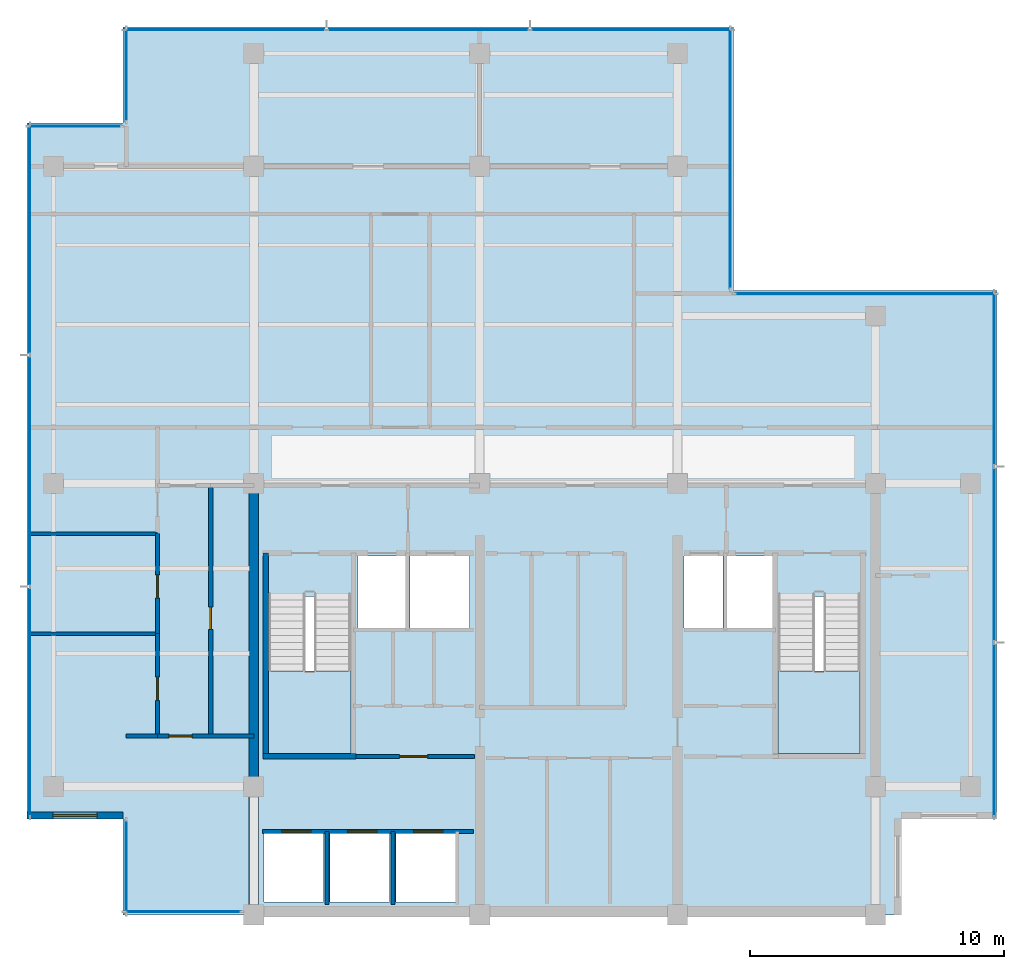
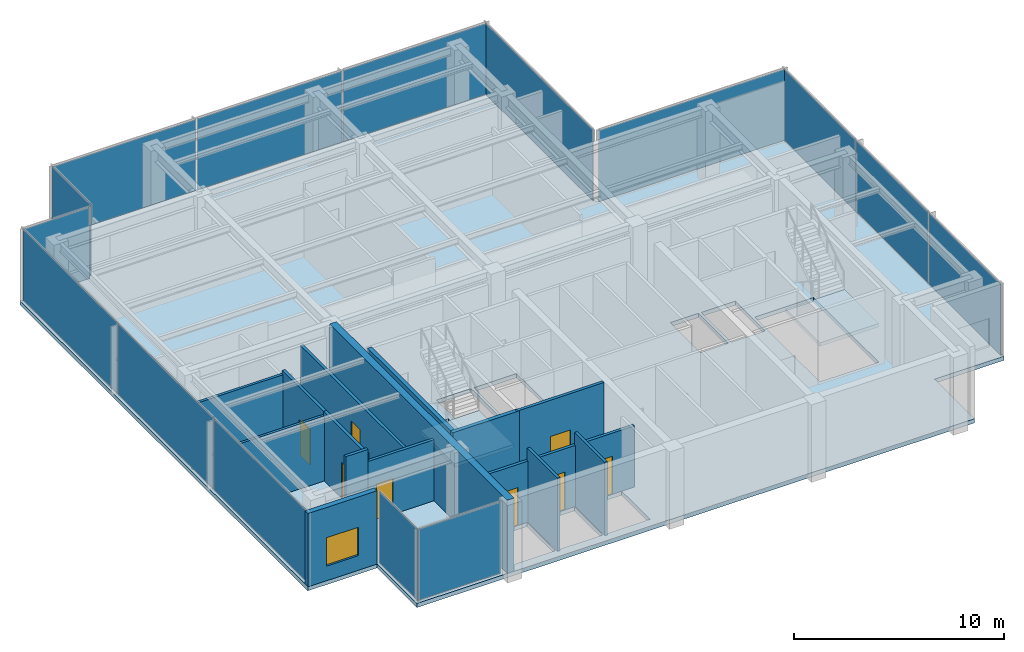
# One storey, part 5 of 11: 15 plates, 15 walls, 8 doors, 3 slabs, 1 window, 9 openings, 11 elements without a shape of their own.
"""IFC4 building model written with IfcOpenShell, lengths in metres."""

from ifc_helpers import new_model, si_unit, direction, frame, frame_2d, origin, origin_2d, place, context, subcontext, project, spatial, polyline, rectangle, outline, extrude, material, layer, layer_set, type_object, element, fill, aggregate, save


model = new_model("IFC4")

# Units and contexts
model_context = context("Model", 3, precision=1e-05, world=origin(), true_north=direction((0.0, 1.0)))
body_context = subcontext(model_context, "Body", "Model", "MODEL_VIEW")
ifc_project = project(units=[si_unit("LENGTHUNIT", "METRE"), si_unit("AREAUNIT", "SQUARE_METRE"), si_unit("VOLUMEUNIT", "CUBIC_METRE"), si_unit("PLANEANGLEUNIT", "RADIAN"), si_unit("MASSUNIT", "GRAM", prefix="KILO")], contexts=[model_context])

# Site, building, storey
site_placement = place(None, origin())
site = spatial("IfcSite", under=ifc_project, at=site_placement, CompositionType="ELEMENT")
building_placement = place(site_placement, origin())
building = spatial("IfcBuilding", under=site, at=building_placement, Name="Qalmaran Belvedere Hotel", CompositionType="ELEMENT")
storey_placement = place(building_placement, frame((0.0, 0.0, 280.89990234375)))
storey = spatial("IfcBuildingStorey", under=building, at=storey_placement, Name="L73", CompositionType="ELEMENT", Elevation=280.89990234375)

# Curtain wall, plate
ifc_material_1 = material(Name="Anodised Bronze Aluminium", Category="aluminium")
ifc_layer_1 = layer(ifc_material_1, 0.18505859375, Name="Anodised Bronze Aluminium")
ifc_layer_set_1 = layer_set([ifc_layer_1], Name="Anodised Bronze Aluminium")
curtain_wall_type = type_object("IfcCurtainWallType", Name="CW6-TOWER-SKY", PredefinedType="NOTDEFINED", material=ifc_layer_set_1)
curtain_wall_1_placement = place(storey_placement, origin())
curtain_wall_1 = element("IfcCurtainWall", 1, at=curtain_wall_1_placement, inside=storey, type_object=curtain_wall_type, Name="L73 Curtain Wall CW6", PredefinedType="NOTDEFINED")
ifc_material_2 = material(Name="Solar-Control Double Glazing", Category="glass")
ifc_layer_2 = layer(ifc_material_2, 0.028076171875, Name="Solar-Control Double Glazing")
ifc_layer_set_2 = layer_set([ifc_layer_2], Name="Solar-Control Double Glazing")
plate_type = type_object("IfcPlateType", Name="CWP-VISION-28", PredefinedType="CURTAIN_PANEL", material=ifc_layer_set_2)
plate_1_placement = place(storey_placement, frame((17.5048828125, 3.6201171875, 0.065185546875), z_axis=(0.0, 0.0, 1.0), x_axis=(1.0, 0.0, 0.0)))
plate_1 = element("IfcPlate", 2, at=plate_1_placement, type_object=plate_type, Name="CW6 panel 1.1", PredefinedType="CURTAIN_PANEL", context=body_context, shape_type="SweptSolid", body=[
    extrude(rectangle(XDim=4.580078125, YDim=0.028076171875, at=origin_2d()), origin(), (0.0, 0.0, 1.0), 4.1298828125),
])
aggregate(curtain_wall_1, [plate_1])

# Curtain wall, plates
curtain_wall_2_placement = place(storey_placement, origin())
curtain_wall_2 = element("IfcCurtainWall", 3, at=curtain_wall_2_placement, inside=storey, type_object=curtain_wall_type, Name="L73 Curtain Wall CW6", PredefinedType="NOTDEFINED")
plate_2_placement = place(storey_placement, frame((49.47998046875, 10.782958984375, 0.065185546875), z_axis=(0.0, 0.0, 1.0), x_axis=(0.0, 1.0, 0.0)))
plate_2 = element("IfcPlate", 4, at=plate_2_placement, type_object=plate_type, Name="CW6 panel 1.1", PredefinedType="CURTAIN_PANEL", context=body_context, shape_type="SweptSolid", body=[
    extrude(rectangle(XDim=6.8359375, YDim=0.028076171875, at=origin_2d()), origin(), (0.0, 0.0, 1.0), 4.1298828125),
])
plate_3_placement = place(storey_placement, frame((49.47998046875, 17.699951171875, 0.065185546875), z_axis=(0.0, 0.0, 1.0), x_axis=(0.0, 1.0, 0.0)))
plate_3 = element("IfcPlate", 5, at=plate_3_placement, type_object=plate_type, Name="CW6 panel 2.1", PredefinedType="CURTAIN_PANEL", context=body_context, shape_type="SweptSolid", body=[
    extrude(rectangle(XDim=6.868408203125, YDim=0.028076171875, at=origin_2d()), origin(), (0.0, 0.0, 1.0), 4.1298828125),
])
plate_4_placement = place(storey_placement, frame((49.47998046875, 24.6171875, 0.065185546875), z_axis=(0.0, 0.0, 1.0), x_axis=(0.0, 1.0, 0.0)))
plate_4 = element("IfcPlate", 6, at=plate_4_placement, type_object=plate_type, Name="CW6 panel 3.1", PredefinedType="CURTAIN_PANEL", context=body_context, shape_type="SweptSolid", body=[
    extrude(rectangle(XDim=6.8359375, YDim=0.028076171875, at=origin_2d()), origin(), (0.0, 0.0, 1.0), 4.1298828125),
])
aggregate(curtain_wall_2, [plate_2, plate_3, plate_4])

# Curtain wall, plate
curtain_wall_3_placement = place(storey_placement, origin())
curtain_wall_3 = element("IfcCurtainWall", 7, at=curtain_wall_3_placement, inside=storey, type_object=curtain_wall_type, Name="L73 Curtain Wall CW6", PredefinedType="NOTDEFINED")
plate_5_placement = place(storey_placement, frame((44.39990234375, 27.97998046875, 0.065185546875), z_axis=(0.0, 0.0, 1.0), x_axis=(-1.0, 0.0, 0.0)))
plate_5 = element("IfcPlate", 8, at=plate_5_placement, type_object=plate_type, Name="CW6 panel 1.1", PredefinedType="CURTAIN_PANEL", context=body_context, shape_type="SweptSolid", body=[
    extrude(rectangle(XDim=10.27001953125, YDim=0.028076171875, at=origin_2d()), origin(), (0.0, 0.0, 1.0), 4.1298828125),
])
aggregate(curtain_wall_3, [plate_5])

curtain_wall_4_placement = place(storey_placement, origin())
curtain_wall_4 = element("IfcCurtainWall", 9, at=curtain_wall_4_placement, inside=storey, type_object=curtain_wall_type, Name="L73 Curtain Wall CW6", PredefinedType="NOTDEFINED")
plate_6_placement = place(storey_placement, frame((39.080078125, 33.300048828125, 0.065185546875), z_axis=(0.0, 0.0, 1.0), x_axis=(0.0, 1.0, 0.0)))
plate_6 = element("IfcPlate", 10, at=plate_6_placement, type_object=plate_type, Name="CW6 panel 1.1", PredefinedType="CURTAIN_PANEL", context=body_context, shape_type="SweptSolid", body=[
    extrude(rectangle(XDim=10.27001953125, YDim=0.028076171875, at=origin_2d()), origin(), (0.0, 0.0, 1.0), 4.1298828125),
])
aggregate(curtain_wall_4, [plate_6])

# Curtain wall, plates
curtain_wall_5_placement = place(storey_placement, origin())
curtain_wall_5 = element("IfcCurtainWall", 11, at=curtain_wall_5_placement, inside=storey, type_object=curtain_wall_type, Name="L73 Curtain Wall CW6", PredefinedType="NOTDEFINED")
plate_7_placement = place(storey_placement, frame((35.175537109375, 38.3798828125, 0.065185546875), z_axis=(0.0, 0.0, 1.0), x_axis=(-1.0, 0.0, 0.0)))
plate_7 = element("IfcPlate", 12, at=plate_7_placement, type_object=plate_type, Name="CW6 panel 1.1", PredefinedType="CURTAIN_PANEL", context=body_context, shape_type="SweptSolid", body=[
    extrude(rectangle(XDim=7.919189453125, YDim=0.028076171875, at=origin_2d()), origin(), (0.0, 0.0, 1.0), 4.1298828125),
])
plate_8_placement = place(storey_placement, frame((27.175048828125, 38.3798828125, 0.065185546875), z_axis=(0.0, 0.0, 1.0), x_axis=(-1.0, 0.0, 0.0)))
plate_8 = element("IfcPlate", 13, at=plate_8_placement, type_object=plate_type, Name="CW6 panel 2.1", PredefinedType="CURTAIN_PANEL", context=body_context, shape_type="SweptSolid", body=[
    extrude(rectangle(XDim=7.95166015625, YDim=0.028076171875, at=origin_2d()), origin(), (0.0, 0.0, 1.0), 4.1298828125),
])
plate_9_placement = place(storey_placement, frame((19.174560546875, 38.3798828125, 0.065185546875), z_axis=(0.0, 0.0, 1.0), x_axis=(-1.0, 0.0, 0.0)))
plate_9 = element("IfcPlate", 14, at=plate_9_placement, type_object=plate_type, Name="CW6 panel 3.1", PredefinedType="CURTAIN_PANEL", context=body_context, shape_type="SweptSolid", body=[
    extrude(rectangle(XDim=7.919189453125, YDim=0.028076171875, at=origin_2d()), origin(), (0.0, 0.0, 1.0), 4.1298828125),
])
aggregate(curtain_wall_5, [plate_7, plate_8, plate_9])

# Curtain wall, plate
curtain_wall_6_placement = place(storey_placement, origin())
curtain_wall_6 = element("IfcCurtainWall", 15, at=curtain_wall_6_placement, inside=storey, type_object=curtain_wall_type, Name="L73 Curtain Wall CW6", PredefinedType="NOTDEFINED")
plate_10_placement = place(storey_placement, frame((15.27001953125, 36.60009765625, 0.065185546875), z_axis=(0.0, 0.0, 1.0), x_axis=(0.0, -1.0, 0.0)))
plate_10 = element("IfcPlate", 16, at=plate_10_placement, type_object=plate_type, Name="CW6 panel 1.1", PredefinedType="CURTAIN_PANEL", context=body_context, shape_type="SweptSolid", body=[
    extrude(rectangle(XDim=3.669921875, YDim=0.028076171875, at=origin_2d()), origin(), (0.0, 0.0, 1.0), 4.1298828125),
])
aggregate(curtain_wall_6, [plate_10])

curtain_wall_7_placement = place(storey_placement, origin())
curtain_wall_7 = element("IfcCurtainWall", 17, at=curtain_wall_7_placement, inside=storey, type_object=curtain_wall_type, Name="L73 Curtain Wall CW6", PredefinedType="NOTDEFINED")
plate_11_placement = place(storey_placement, frame((13.25, 34.580078125, 0.065185546875), z_axis=(0.0, 0.0, 1.0), x_axis=(-1.0, 0.0, 0.0)))
plate_11 = element("IfcPlate", 18, at=plate_11_placement, type_object=plate_type, Name="CW6 panel 1.1", PredefinedType="CURTAIN_PANEL", context=body_context, shape_type="SweptSolid", body=[
    extrude(rectangle(XDim=3.669921875, YDim=0.028076171875, at=origin_2d()), origin(), (0.0, 0.0, 1.0), 4.1298828125),
])
aggregate(curtain_wall_7, [plate_11])

# Curtain wall, plates
curtain_wall_8_placement = place(storey_placement, origin())
curtain_wall_8 = element("IfcCurtainWall", 19, at=curtain_wall_8_placement, inside=storey, type_object=curtain_wall_type, Name="L73 Curtain Wall CW6", PredefinedType="NOTDEFINED")
plate_12_placement = place(storey_placement, frame((11.469970703125, 30.1171875, 0.065185546875), z_axis=(0.0, 0.0, 1.0), x_axis=(0.0, -1.0, 0.0)))
plate_12 = element("IfcPlate", 20, at=plate_12_placement, type_object=plate_type, Name="CW6 panel 1.1", PredefinedType="CURTAIN_PANEL", context=body_context, shape_type="SweptSolid", body=[
    extrude(rectangle(XDim=9.035888671875, YDim=0.028076171875, at=origin_2d()), origin(), (0.0, 0.0, 1.0), 4.1298828125),
])
plate_13_placement = place(storey_placement, frame((11.469970703125, 21.0, 0.065185546875), z_axis=(0.0, 0.0, 1.0), x_axis=(0.0, -1.0, 0.0)))
plate_13 = element("IfcPlate", 21, at=plate_13_placement, type_object=plate_type, Name="CW6 panel 2.1", PredefinedType="CURTAIN_PANEL", context=body_context, shape_type="SweptSolid", body=[
    extrude(rectangle(XDim=9.068359375, YDim=0.028076171875, at=origin_2d()), origin(), (0.0, 0.0, 1.0), 4.1298828125),
])
plate_14_placement = place(storey_placement, frame((11.469970703125, 11.8828125, 0.065185546875), z_axis=(0.0, 0.0, 1.0), x_axis=(0.0, -1.0, 0.0)))
plate_14 = element("IfcPlate", 22, at=plate_14_placement, type_object=plate_type, Name="CW6 panel 3.1", PredefinedType="CURTAIN_PANEL", context=body_context, shape_type="SweptSolid", body=[
    extrude(rectangle(XDim=9.035888671875, YDim=0.028076171875, at=origin_2d()), origin(), (0.0, 0.0, 1.0), 4.1298828125),
])
aggregate(curtain_wall_8, [plate_12, plate_13, plate_14])

# Curtain wall, plate
curtain_wall_9_placement = place(storey_placement, origin())
curtain_wall_9 = element("IfcCurtainWall", 23, at=curtain_wall_9_placement, inside=storey, type_object=curtain_wall_type, Name="L73 Curtain Wall CW6", PredefinedType="NOTDEFINED")
plate_15_placement = place(storey_placement, frame((15.27001953125, 5.39990234375, 0.065185546875), z_axis=(0.0, 0.0, 1.0), x_axis=(0.0, -1.0, 0.0)))
plate_15 = element("IfcPlate", 24, at=plate_15_placement, type_object=plate_type, Name="CW6 panel 1.1", PredefinedType="CURTAIN_PANEL", context=body_context, shape_type="SweptSolid", body=[
    extrude(rectangle(XDim=3.669921875, YDim=0.028076171875, at=origin_2d()), origin(), (0.0, 0.0, 1.0), 4.1298828125),
])
aggregate(curtain_wall_9, [plate_15])

# Stair, slab
ifc_material_3 = material(Name="Concrete C40/50", Category="concrete")
stair_type_1 = type_object("IfcStairType", Name="STR-ST-1-1450-R1875", PredefinedType="HALF_TURN_STAIR", material=ifc_material_3)
stair_1_placement = place(storey_placement, origin())
stair_1 = element("IfcStair", 25, at=stair_1_placement, inside=storey, type_object=stair_type_1, Name="L73 West Core Exit Stair ST-1", PredefinedType="HALF_TURN_STAIR")
ifc_layer_3 = layer(ifc_material_3, 0.199951171875, Name="Concrete C40/50")
ifc_layer_set_3 = layer_set([ifc_layer_3], Name="Concrete C40/50")
slab_type_1 = type_object("IfcSlabType", Name="SLB-STAIR-LANDING-200", PredefinedType="LANDING", material=ifc_layer_set_3)
slab_1_placement = place(storey_placement, frame((0.0, 0.0, 2.050048828125)))
slab_1 = element("IfcSlab", 26, at=slab_1_placement, type_object=slab_type_1, Name="ST-1 landing 1", PredefinedType="LANDING", context=body_context, shape_type="SweptSolid", body=[
    extrude(outline(polyline([(20.8798828125, 13.110107421875), (20.8798828125, 9.85009765625), (24.1201171875, 9.85009765625), (24.1201171875, 13.110107421875), (20.8798828125, 13.110107421875)])), origin(), (0.0, 0.0, 1.0), 0.199951171875),
])
aggregate(stair_1, [slab_1])

stair_type_2 = type_object("IfcStairType", Name="STR-ST-2-1450-R1875", PredefinedType="HALF_TURN_STAIR", material=ifc_material_3)
stair_2_placement = place(storey_placement, origin())
stair_2 = element("IfcStair", 27, at=stair_2_placement, inside=storey, type_object=stair_type_2, Name="L73 East Core Exit Stair ST-2", PredefinedType="HALF_TURN_STAIR")
slab_2_placement = place(storey_placement, frame((0.0, 0.0, 2.050048828125)))
slab_2 = element("IfcSlab", 28, at=slab_2_placement, type_object=slab_type_1, Name="ST-2 landing 1", PredefinedType="LANDING", context=body_context, shape_type="SweptSolid", body=[
    extrude(outline(polyline([(40.9599609375, 13.110107421875), (40.9599609375, 9.85009765625), (44.199951171875, 9.85009765625), (44.199951171875, 13.110107421875), (40.9599609375, 13.110107421875)])), origin(), (0.0, 0.0, 1.0), 0.199951171875),
])
aggregate(stair_2, [slab_2])

# Slab
ifc_layer_4 = layer(ifc_material_3, 0.239990234375, Name="Concrete C40/50")
ifc_layer_set_4 = layer_set([ifc_layer_4], Name="Concrete C40/50")
slab_type_2 = type_object("IfcSlabType", Name="SLB-Z4-240", PredefinedType="FLOOR", material=ifc_layer_set_4)
slab_3_placement = place(storey_placement, frame((0.0, 0.0, -0.239990234375)))
element("IfcSlab", 29, at=slab_3_placement, inside=storey, type_object=slab_type_2, Name="L73 Structural Floor Slab", PredefinedType="FLOOR", context=body_context, shape_type="SweptSolid", body=[
    extrude(outline(polyline([(15.14990234375, 3.5), (45.800048828125, 3.5), (45.800048828125, 7.300048828125), (49.60009765625, 7.300048828125), (49.60009765625, 28.10009765625), (39.199951171875, 28.10009765625), (39.199951171875, 38.5), (15.14990234375, 38.5), (15.14990234375, 34.699951171875), (11.35009765625, 34.699951171875), (11.35009765625, 7.300048828125), (15.14990234375, 7.300048828125), (15.14990234375, 3.5)]), holes=[polyline([(20.8798828125, 9.85009765625), (24.1201171875, 9.85009765625), (24.1201171875, 16.0400390625), (20.8798828125, 16.0400390625), (20.8798828125, 9.85009765625)]), polyline([(40.9599609375, 9.85009765625), (44.199951171875, 9.85009765625), (44.199951171875, 16.0400390625), (40.9599609375, 16.0400390625), (40.9599609375, 9.85009765625)]), polyline([(20.699951171875, 4.0), (23.050048828125, 4.0), (23.050048828125, 6.699951171875), (20.699951171875, 6.699951171875), (20.699951171875, 4.0)]), polyline([(23.300048828125, 4.0), (25.64990234375, 4.0), (25.64990234375, 6.699951171875), (23.300048828125, 6.699951171875), (23.300048828125, 4.0)]), polyline([(25.89990234375, 4.0), (28.25, 4.0), (28.25, 6.699951171875), (25.89990234375, 6.699951171875), (25.89990234375, 4.0)]), polyline([(24.39990234375, 14.800048828125), (26.300048828125, 14.800048828125), (26.300048828125, 17.64990234375), (24.39990234375, 17.64990234375), (24.39990234375, 14.800048828125)]), polyline([(38.949951171875, 14.800048828125), (40.820068359375, 14.800048828125), (40.820068359375, 17.64990234375), (38.949951171875, 17.64990234375), (38.949951171875, 14.800048828125)]), polyline([(26.449951171875, 14.800048828125), (28.800048828125, 14.800048828125), (28.800048828125, 17.64990234375), (26.449951171875, 17.64990234375), (26.449951171875, 14.800048828125)]), polyline([(37.25, 14.800048828125), (38.800048828125, 14.800048828125), (38.800048828125, 17.64990234375), (37.25, 17.64990234375), (37.25, 14.800048828125)])]), origin(), (0.0, 0.0, 1.0), 0.239990234375),
])

# Wall
ifc_material_4 = material(Name="Concrete C50/60", Category="concrete")
ifc_layer_5 = layer(ifc_material_4, 0.3798828125, Name="Concrete C50/60")
ifc_layer_set_5 = layer_set([ifc_layer_5], Name="Concrete C50/60")
wall_type_1 = type_object("IfcWallType", Name="WL-CORE-380-C50", PredefinedType="SHEAR", material=ifc_layer_set_5)
wall_1_placement = place(storey_placement, frame((20.300048828125, 3.5, 0.0), z_axis=(0.0, 0.0, 1.0), x_axis=(0.0, 1.0, 0.0)))
element("IfcWall", 30, at=wall_1_placement, inside=storey, type_object=wall_type_1, Name="L73 West Core Shear Wall", PredefinedType="SHEAR", context=body_context, shape_type="SweptSolid", body=[
    extrude(rectangle(XDim=16.89990234375, YDim=0.3798828125, at=frame_2d((8.449951171875, 0.0))), origin(), (0.0, 0.0, 1.0), 4.260009765625),
])

# Wall, opening, window
ifc_material_5 = material(Name="Anodised Bronze Cladding")
ifc_layer_6 = layer(ifc_material_5, 0.280029296875, Name="Anodised Bronze Cladding")
ifc_layer_set_6 = layer_set([ifc_layer_6], Name="Anodised Bronze Cladding")
wall_type_2 = type_object("IfcWallType", Name="WL-EXT-BRNZ-280", PredefinedType="SOLIDWALL", material=ifc_layer_set_6)
wall_2_placement = place(storey_placement, frame((11.35009765625, 7.419921875, 0.0), z_axis=(0.0, 0.0, 1.0), x_axis=(1.0, 0.0, 0.0)))
wall_2 = element("IfcWall", 31, at=wall_2_placement, inside=storey, type_object=wall_type_2, Name="L73 Corner Notch Wall 10", PredefinedType="SOLIDWALL", context=body_context, shape_type="SweptSolid", body=[
    extrude(rectangle(XDim=3.7998046875, YDim=0.280029296875, at=frame_2d((1.89990234375, 0.0))), origin(), (0.0, 0.0, 1.0), 4.260009765625),
])
opening_1_placement = place(wall_2_placement, frame((1.02490234375, 0.0, 0.85009765625)))
opening_1 = element("IfcOpeningElement", 32, at=opening_1_placement, cuts=wall_2, Name="Opening W-N17", PredefinedType="OPENING", context=body_context, shape_type="SweptSolid", body=[
    extrude(rectangle(XDim=1.75, YDim=1.64990234375, at=frame_2d((0.875, 0.824951171875))), frame((0.0, 0.14990234375, 0.0), z_axis=(0.0, -1.0, 0.0), x_axis=(1.0, 0.0, 0.0)), (0.0, 0.0, 1.0), 0.300048828125),
])
window_type = type_object("IfcWindowType", Name="WN-NTC-1750X1650", PartitioningType="SINGLE_PANEL", PredefinedType="WINDOW", material=ifc_material_2)
window_placement = place(opening_1_placement, origin())
window = element("IfcWindow", 33, at=window_placement, inside=storey, type_object=window_type, Name="L73 Corner Notch Window 10", OverallHeight=1.64990234375, OverallWidth=1.75, PartitioningType="SINGLE_PANEL", PredefinedType="WINDOW", context=body_context, shape_type="SweptSolid", body=[
    extrude(rectangle(XDim=1.75, YDim=1.64990234375, at=frame_2d((0.875, 0.824951171875))), frame((0.0, 0.030029296875, 0.0), z_axis=(0.0, -1.0, 0.0), x_axis=(1.0, 0.0, 0.0)), (0.0, 0.0, 1.0), 0.06005859375),
])
fill(opening_1, window)

# Walls
ifc_material_6 = material(Name="Gypsum Stud Partition")
ifc_layer_7 = layer(ifc_material_6, 0.139892578125, Name="Gypsum Stud Partition")
ifc_layer_set_7 = layer_set([ifc_layer_7], Name="Gypsum Stud Partition")
wall_type_3 = type_object("IfcWallType", Name="WL-INT-140-NR", PredefinedType="PARTITIONING", material=ifc_layer_set_7)
for number, where, z_axis, x_axis, name in (
    (34, (11.469970703125, 14.580078125, 0.0), (0.0, 0.0, 1.0), (1.0, 0.0, 0.0), "L73 Partition WL-L73-WC1"),
    (35, (11.469970703125, 18.52001953125, 0.0), (0.0, 0.0, 1.0), (1.0, 0.0, 0.0), "L73 Partition WL-L73-WC2"),
):
    element("IfcWall", number, at=place(storey_placement, frame(where, z_axis=z_axis, x_axis=x_axis)), inside=storey, type_object=wall_type_3, Name=name, PredefinedType="PARTITIONING", context=body_context, shape_type="SweptSolid", body=[
        extrude(rectangle(XDim=5.030029296875, YDim=0.139892578125, at=frame_2d((2.51513671875, 0.0))), origin(), (0.0, 0.0, 1.0), 3.781982421875),
    ])
ifc_layer_8 = layer(ifc_material_6, 0.14990234375, Name="Gypsum Stud Partition")
ifc_layer_set_8 = layer_set([ifc_layer_8], Name="Gypsum Stud Partition")
wall_type_4 = type_object("IfcWallType", Name="WL-INT-150-EI120", PredefinedType="PARTITIONING", material=ifc_layer_set_8)
for number, where, z_axis, x_axis, name in (
    (36, (23.179931640625, 3.89990234375, 0.0), (0.0, 0.0, 1.0), (0.0, 1.0, 0.0), "L73 Partition WL-POM1-L73"),
    (37, (25.780029296875, 3.89990234375, 0.0), (0.0, 0.0, 1.0), (0.0, 1.0, 0.0), "L73 Partition WL-POM2-L73"),
):
    element("IfcWall", number, at=place(storey_placement, frame(where, z_axis=z_axis, x_axis=x_axis)), inside=storey, type_object=wall_type_4, Name=name, PredefinedType="PARTITIONING", context=body_context, shape_type="SweptSolid", body=[
        extrude(rectangle(XDim=2.880126953125, YDim=0.14990234375, at=frame_2d((1.43994140625, 0.0))), origin(), (0.0, 0.0, 1.0), 4.260009765625),
    ])

# Wall, openings, doors
ifc_layer_9 = layer(ifc_material_6, 0.159912109375, Name="Gypsum Stud Partition")
ifc_layer_set_9 = layer_set([ifc_layer_9], Name="Gypsum Stud Partition")
wall_type_5 = type_object("IfcWallType", Name="WL-INT-160-EI120", PredefinedType="PARTITIONING", material=ifc_layer_set_9)
wall_3_placement = place(storey_placement, frame((20.64990234375, 6.780029296875, 0.0), z_axis=(0.0, 0.0, 1.0), x_axis=(1.0, 0.0, 0.0)))
wall_3 = element("IfcWall", 38, at=wall_3_placement, inside=storey, type_object=wall_type_5, Name="L73 Partition WL-POS-L73", PredefinedType="PARTITIONING", context=body_context, shape_type="SweptSolid", body=[
    extrude(rectangle(XDim=8.300048828125, YDim=0.159912109375, at=frame_2d((4.14990234375, 0.0))), origin(), (0.0, 0.0, 1.0), 3.550048828125),
])
opening_2_placement = place(wall_3_placement, frame((0.75, 0.0, 0.0)))
opening_2 = element("IfcOpeningElement", 39, at=opening_2_placement, cuts=wall_3, Name="Opening LD-PO", PredefinedType="OPENING", context=body_context, shape_type="SweptSolid", body=[
    extrude(rectangle(XDim=1.14990234375, YDim=2.199951171875, at=frame_2d((0.574951171875, 1.10009765625))), frame((0.0, 0.08984375, 0.0), z_axis=(0.0, -1.0, 0.0), x_axis=(1.0, 0.0, 0.0)), (0.0, 0.0, 1.0), 0.179931640625),
])
opening_3_placement = place(wall_3_placement, frame((3.35009765625, 0.0, 0.0)))
opening_3 = element("IfcOpeningElement", 40, at=opening_3_placement, cuts=wall_3, Name="Opening LD-PO", PredefinedType="OPENING", context=body_context, shape_type="SweptSolid", body=[
    extrude(rectangle(XDim=1.14990234375, YDim=2.199951171875, at=frame_2d((0.574951171875, 1.10009765625))), frame((0.0, 0.08984375, 0.0), z_axis=(0.0, -1.0, 0.0), x_axis=(1.0, 0.0, 0.0)), (0.0, 0.0, 1.0), 0.179931640625),
])
opening_4_placement = place(wall_3_placement, frame((5.949951171875, 0.0, 0.0)))
opening_4 = element("IfcOpeningElement", 41, at=opening_4_placement, cuts=wall_3, Name="Opening LD-PO", PredefinedType="OPENING", context=body_context, shape_type="SweptSolid", body=[
    extrude(rectangle(XDim=1.14990234375, YDim=2.199951171875, at=frame_2d((0.574951171875, 1.10009765625))), frame((0.0, 0.08984375, 0.0), z_axis=(0.0, -1.0, 0.0), x_axis=(1.0, 0.0, 0.0)), (0.0, 0.0, 1.0), 0.179931640625),
])
door_type_1 = type_object("IfcDoorType", Name="DR-LIFT-PO-1150X2200", OperationType="DOUBLE_DOOR_SLIDING", PredefinedType="DOOR", material=ifc_material_1)
door_1_placement = place(opening_2_placement, origin())
door_1 = element("IfcDoor", 42, at=door_1_placement, inside=storey, type_object=door_type_1, Name="L73 PO1 Shuttle Landing Door", OperationType="DOUBLE_DOOR_SLIDING", OverallHeight=2.199951171875, OverallWidth=1.14990234375, PredefinedType="DOOR", context=body_context, shape_type="SweptSolid", body=[
    extrude(rectangle(XDim=1.14990234375, YDim=2.199951171875, at=frame_2d((0.574951171875, 1.10009765625))), frame((0.0, 0.02490234375, 0.0), z_axis=(0.0, -1.0, 0.0), x_axis=(1.0, 0.0, 0.0)), (0.0, 0.0, 1.0), 0.050048828125),
])
fill(opening_2, door_1)
door_2_placement = place(opening_3_placement, origin())
door_2 = element("IfcDoor", 43, at=door_2_placement, inside=storey, type_object=door_type_1, Name="L73 PO2 Shuttle Landing Door", OperationType="DOUBLE_DOOR_SLIDING", OverallHeight=2.199951171875, OverallWidth=1.14990234375, PredefinedType="DOOR", context=body_context, shape_type="SweptSolid", body=[
    extrude(rectangle(XDim=1.14990234375, YDim=2.199951171875, at=frame_2d((0.574951171875, 1.10009765625))), frame((0.0, 0.02490234375, 0.0), z_axis=(0.0, -1.0, 0.0), x_axis=(1.0, 0.0, 0.0)), (0.0, 0.0, 1.0), 0.050048828125),
])
fill(opening_3, door_2)
door_3_placement = place(opening_4_placement, origin())
door_3 = element("IfcDoor", 44, at=door_3_placement, inside=storey, type_object=door_type_1, Name="L73 PO3 Shuttle Landing Door", OperationType="DOUBLE_DOOR_SLIDING", OverallHeight=2.199951171875, OverallWidth=1.14990234375, PredefinedType="DOOR", context=body_context, shape_type="SweptSolid", body=[
    extrude(rectangle(XDim=1.14990234375, YDim=2.199951171875, at=frame_2d((0.574951171875, 1.10009765625))), frame((0.0, 0.02490234375, 0.0), z_axis=(0.0, -1.0, 0.0), x_axis=(1.0, 0.0, 0.0)), (0.0, 0.0, 1.0), 0.050048828125),
])
fill(opening_4, door_3)

# Wall, opening, door
wall_4_placement = place(storey_placement, frame((24.199951171875, 9.739990234375, 0.0), z_axis=(0.0, 0.0, 1.0), x_axis=(1.0, 0.0, 0.0)))
wall_4 = element("IfcWall", 45, at=wall_4_placement, inside=storey, type_object=wall_type_5, Name="L73 Partition WL-PON-L73", PredefinedType="PARTITIONING", context=body_context, shape_type="SweptSolid", body=[
    extrude(rectangle(XDim=4.800048828125, YDim=0.159912109375, at=frame_2d((2.39990234375, 0.0))), origin(), (0.0, 0.0, 1.0), 4.260009765625),
])
opening_5_placement = place(wall_4_placement, frame((1.85009765625, 0.0, 0.0)))
opening_5 = element("IfcOpeningElement", 46, at=opening_5_placement, cuts=wall_4, Name="Opening FD90", PredefinedType="OPENING", context=body_context, shape_type="SweptSolid", body=[
    extrude(rectangle(XDim=1.10009765625, YDim=2.14990234375, at=frame_2d((0.550048828125, 1.074951171875))), frame((0.0, 0.08984375, 0.0), z_axis=(0.0, -1.0, 0.0), x_axis=(1.0, 0.0, 0.0)), (0.0, 0.0, 1.0), 0.179931640625),
])
ifc_material_7 = material(Name="Steel S355JR", Category="steel")
door_type_2 = type_object("IfcDoorType", Name="DR-FD90-1100X2150", OperationType="NOTDEFINED", PredefinedType="DOOR", material=ifc_material_7)
door_4_placement = place(opening_5_placement, origin())
door_4 = element("IfcDoor", 47, at=door_4_placement, inside=storey, type_object=door_type_2, Name="L73 Shuttle Lobby Passage Door", OperationType="SINGLE_SWING_LEFT", OverallHeight=2.14990234375, OverallWidth=1.10009765625, PredefinedType="DOOR", context=body_context, shape_type="SweptSolid", body=[
    extrude(rectangle(XDim=1.10009765625, YDim=2.14990234375, at=frame_2d((0.550048828125, 1.074951171875))), frame((0.0, 0.02490234375, 0.0), z_axis=(0.0, -1.0, 0.0), x_axis=(1.0, 0.0, 0.0)), (0.0, 0.0, 1.0), 0.050048828125),
])
fill(opening_5, door_4)

# Wall
ifc_layer_10 = layer(ifc_material_6, 0.159912109375, Name="Gypsum Stud Partition")
ifc_layer_set_10 = layer_set([ifc_layer_10], Name="Gypsum Stud Partition")
wall_type_6 = type_object("IfcWallType", Name="WL-INT-160-EI60", PredefinedType="PARTITIONING", material=ifc_layer_set_10)
wall_5_placement = place(storey_placement, frame((15.27001953125, 10.550048828125, 0.0), z_axis=(0.0, 0.0, 1.0), x_axis=(1.0, 0.0, 0.0)))
element("IfcWall", 48, at=wall_5_placement, inside=storey, type_object=wall_type_6, Name="L73 Partition WL-L73-WCS1", PredefinedType="PARTITIONING", context=body_context, shape_type="SweptSolid", body=[
    extrude(rectangle(XDim=1.22998046875, YDim=0.159912109375, at=frame_2d((0.614990234375, 0.0))), origin(), (0.0, 0.0, 1.0), 4.260009765625),
])

# Wall, opening, door
wall_6_placement = place(storey_placement, frame((16.5, 10.550048828125, 0.0), z_axis=(0.0, 0.0, 1.0), x_axis=(1.0, 0.0, 0.0)))
wall_6 = element("IfcWall", 49, at=wall_6_placement, inside=storey, type_object=wall_type_6, Name="L73 Partition WL-L73-WCS2", PredefinedType="PARTITIONING", context=body_context, shape_type="SweptSolid", body=[
    extrude(rectangle(XDim=3.800048828125, YDim=0.159912109375, at=frame_2d((1.89990234375, 0.0))), origin(), (0.0, 0.0, 1.0), 3.550048828125),
])
opening_6_placement = place(wall_6_placement, frame((1.369873046875, 0.0, 0.0), z_axis=(0.0, 0.0, 1.0), x_axis=(-1.0, 0.0, 0.0)))
opening_6 = element("IfcOpeningElement", 50, at=opening_6_placement, cuts=wall_6, Name="Opening FD60S1", PredefinedType="OPENING", context=body_context, shape_type="SweptSolid", body=[
    extrude(rectangle(XDim=0.919921875, YDim=2.080078125, at=frame_2d((0.4599609375, 1.0400390625))), frame((0.0, 0.08984375, 0.0), z_axis=(0.0, -1.0, 0.0), x_axis=(1.0, 0.0, 0.0)), (0.0, 0.0, 1.0), 0.179931640625),
])
ifc_material_8 = material(Name="Engineered Oak Veneer")
door_type_3 = type_object("IfcDoorType", Name="DR-FD60S-920X2080", OperationType="NOTDEFINED", PredefinedType="DOOR", material=ifc_material_8)
door_5_placement = place(opening_6_placement, origin())
door_5 = element("IfcDoor", 51, at=door_5_placement, inside=storey, type_object=door_type_3, Name="L73 Reading Lounge Door", OperationType="SINGLE_SWING_LEFT", OverallHeight=2.080078125, OverallWidth=0.919921875, PredefinedType="DOOR", context=body_context, shape_type="SweptSolid", body=[
    extrude(rectangle(XDim=0.919921875, YDim=2.080078125, at=frame_2d((0.4599609375, 1.0400390625))), frame((0.0, 0.02490234375, 0.0), z_axis=(0.0, -1.0, 0.0), x_axis=(1.0, 0.0, 0.0)), (0.0, 0.0, 1.0), 0.050048828125),
])
fill(opening_6, door_5)

wall_7_placement = place(storey_placement, frame((16.5, 10.550048828125, 0.0), z_axis=(0.0, 0.0, 1.0), x_axis=(0.0, 1.0, 0.0)))
wall_7 = element("IfcWall", 52, at=wall_7_placement, inside=storey, type_object=wall_type_6, Name="L73 Partition WL-L73-WCC1", PredefinedType="PARTITIONING", context=body_context, shape_type="SweptSolid", body=[
    extrude(rectangle(XDim=4.030029296875, YDim=0.159912109375, at=frame_2d((2.01513671875, 0.0))), origin(), (0.0, 0.0, 1.0), 3.998046875),
])
opening_7_placement = place(wall_7_placement, frame((1.39990234375, 0.0, 0.0)))
opening_7 = element("IfcOpeningElement", 53, at=opening_7_placement, cuts=wall_7, Name="Opening FD60S1", PredefinedType="OPENING", context=body_context, shape_type="SweptSolid", body=[
    extrude(rectangle(XDim=0.919921875, YDim=2.080078125, at=frame_2d((0.4599609375, 1.0400390625))), frame((0.0, 0.08984375, 0.0), z_axis=(0.0, -1.0, 0.0), x_axis=(1.0, 0.0, 0.0)), (0.0, 0.0, 1.0), 0.179931640625),
])
door_6_placement = place(opening_7_placement, origin())
door_6 = element("IfcDoor", 54, at=door_6_placement, inside=storey, type_object=door_type_3, Name="L73 Male WC Door", OperationType="SINGLE_SWING_RIGHT", OverallHeight=2.080078125, OverallWidth=0.919921875, PredefinedType="DOOR", context=body_context, shape_type="SweptSolid", body=[
    extrude(rectangle(XDim=0.919921875, YDim=2.080078125, at=frame_2d((0.4599609375, 1.0400390625))), frame((0.0, 0.02490234375, 0.0), z_axis=(0.0, -1.0, 0.0), x_axis=(1.0, 0.0, 0.0)), (0.0, 0.0, 1.0), 0.050048828125),
])
fill(opening_7, door_6)

wall_8_placement = place(storey_placement, frame((16.5, 14.580078125, 0.0), z_axis=(0.0, 0.0, 1.0), x_axis=(0.0, 1.0, 0.0)))
wall_8 = element("IfcWall", 55, at=wall_8_placement, inside=storey, type_object=wall_type_6, Name="L73 Partition WL-L73-WCC2", PredefinedType="PARTITIONING", context=body_context, shape_type="SweptSolid", body=[
    extrude(rectangle(XDim=3.93994140625, YDim=0.159912109375, at=frame_2d((1.969970703125, 0.0))), origin(), (0.0, 0.0, 1.0), 3.998046875),
])
opening_8_placement = place(wall_8_placement, frame((1.39990234375, 0.0, 0.0)))
opening_8 = element("IfcOpeningElement", 56, at=opening_8_placement, cuts=wall_8, Name="Opening FD60S1", PredefinedType="OPENING", context=body_context, shape_type="SweptSolid", body=[
    extrude(rectangle(XDim=0.919921875, YDim=2.080078125, at=frame_2d((0.4599609375, 1.0400390625))), frame((0.0, 0.08984375, 0.0), z_axis=(0.0, -1.0, 0.0), x_axis=(1.0, 0.0, 0.0)), (0.0, 0.0, 1.0), 0.179931640625),
])
door_7_placement = place(opening_8_placement, origin())
door_7 = element("IfcDoor", 57, at=door_7_placement, inside=storey, type_object=door_type_3, Name="L73 Female WC Door", OperationType="SINGLE_SWING_LEFT", OverallHeight=2.080078125, OverallWidth=0.919921875, PredefinedType="DOOR", context=body_context, shape_type="SweptSolid", body=[
    extrude(rectangle(XDim=0.919921875, YDim=2.080078125, at=frame_2d((0.4599609375, 1.0400390625))), frame((0.0, 0.02490234375, 0.0), z_axis=(0.0, -1.0, 0.0), x_axis=(1.0, 0.0, 0.0)), (0.0, 0.0, 1.0), 0.050048828125),
])
fill(opening_8, door_7)

wall_9_placement = place(storey_placement, frame((18.60009765625, 10.550048828125, 0.0), z_axis=(0.0, 0.0, 1.0), x_axis=(0.0, 1.0, 0.0)))
wall_9 = element("IfcWall", 58, at=wall_9_placement, inside=storey, type_object=wall_type_6, Name="L73 Partition WL-L73-WCCE", PredefinedType="PARTITIONING", context=body_context, shape_type="SweptSolid", body=[
    extrude(rectangle(XDim=9.869873046875, YDim=0.159912109375, at=frame_2d((4.93505859375, 0.0))), origin(), (0.0, 0.0, 1.0), 3.550048828125),
])
opening_9_placement = place(wall_9_placement, frame((5.079833984375, 0.0, 0.0), z_axis=(0.0, 0.0, 1.0), x_axis=(-1.0, 0.0, 0.0)))
opening_9 = element("IfcOpeningElement", 59, at=opening_9_placement, cuts=wall_9, Name="Opening FD60B", PredefinedType="OPENING", context=body_context, shape_type="SweptSolid", body=[
    extrude(rectangle(XDim=0.8798828125, YDim=2.080078125, at=frame_2d((0.43994140625, 1.0400390625))), frame((0.0, 0.08984375, 0.0), z_axis=(0.0, -1.0, 0.0), x_axis=(1.0, 0.0, 0.0)), (0.0, 0.0, 1.0), 0.179931640625),
])
door_type_4 = type_object("IfcDoorType", Name="DR-FD60B-880X2080", OperationType="NOTDEFINED", PredefinedType="DOOR", material=ifc_material_7)
door_8_placement = place(opening_9_placement, origin())
door_8 = element("IfcDoor", 60, at=door_8_placement, inside=storey, type_object=door_type_4, Name="L73 Cloakroom Store Door", OperationType="SINGLE_SWING_LEFT", OverallHeight=2.080078125, OverallWidth=0.8798828125, PredefinedType="DOOR", context=body_context, shape_type="SweptSolid", body=[
    extrude(rectangle(XDim=0.8798828125, YDim=2.080078125, at=frame_2d((0.43994140625, 1.0400390625))), frame((0.0, 0.02490234375, 0.0), z_axis=(0.0, -1.0, 0.0), x_axis=(1.0, 0.0, 0.0)), (0.0, 0.0, 1.0), 0.050048828125),
])
fill(opening_9, door_8)

# Walls
ifc_layer_11 = layer(ifc_material_4, 0.2099609375, Name="Concrete C50/60")
ifc_layer_set_11 = layer_set([ifc_layer_11], Name="Concrete C50/60")
wall_type_7 = type_object("IfcWallType", Name="WL-STAIR-210-C50", PredefinedType="SHEAR", material=ifc_layer_set_11)
wall_10_placement = place(storey_placement, frame((20.77490234375, 9.7451171875, 0.0), z_axis=(0.0, 0.0, 1.0), x_axis=(0.0, 1.0, 0.0)))
element("IfcWall", 61, at=wall_10_placement, inside=storey, type_object=wall_type_7, Name="L73 Stair ST-1 West Bearing Wall", PredefinedType="SHEAR", context=body_context, shape_type="SweptSolid", body=[
    extrude(rectangle(XDim=8.009765625, YDim=0.2099609375, at=frame_2d((4.0048828125, 0.0))), origin(), (0.0, 0.0, 1.0), 4.260009765625),
])
wall_11_placement = place(storey_placement, frame((20.669921875, 9.7451171875, 0.0), z_axis=(0.0, 0.0, 1.0), x_axis=(1.0, 0.0, 0.0)))
element("IfcWall", 62, at=wall_11_placement, inside=storey, type_object=wall_type_7, Name="L73 Stair ST-1 South Bearing Wall", PredefinedType="SHEAR", context=body_context, shape_type="SweptSolid", body=[
    extrude(rectangle(XDim=3.66015625, YDim=0.2099609375, at=frame_2d((1.830078125, 0.0))), origin(), (0.0, 0.0, 1.0), 4.260009765625),
])

save(model, "model.ifc")
